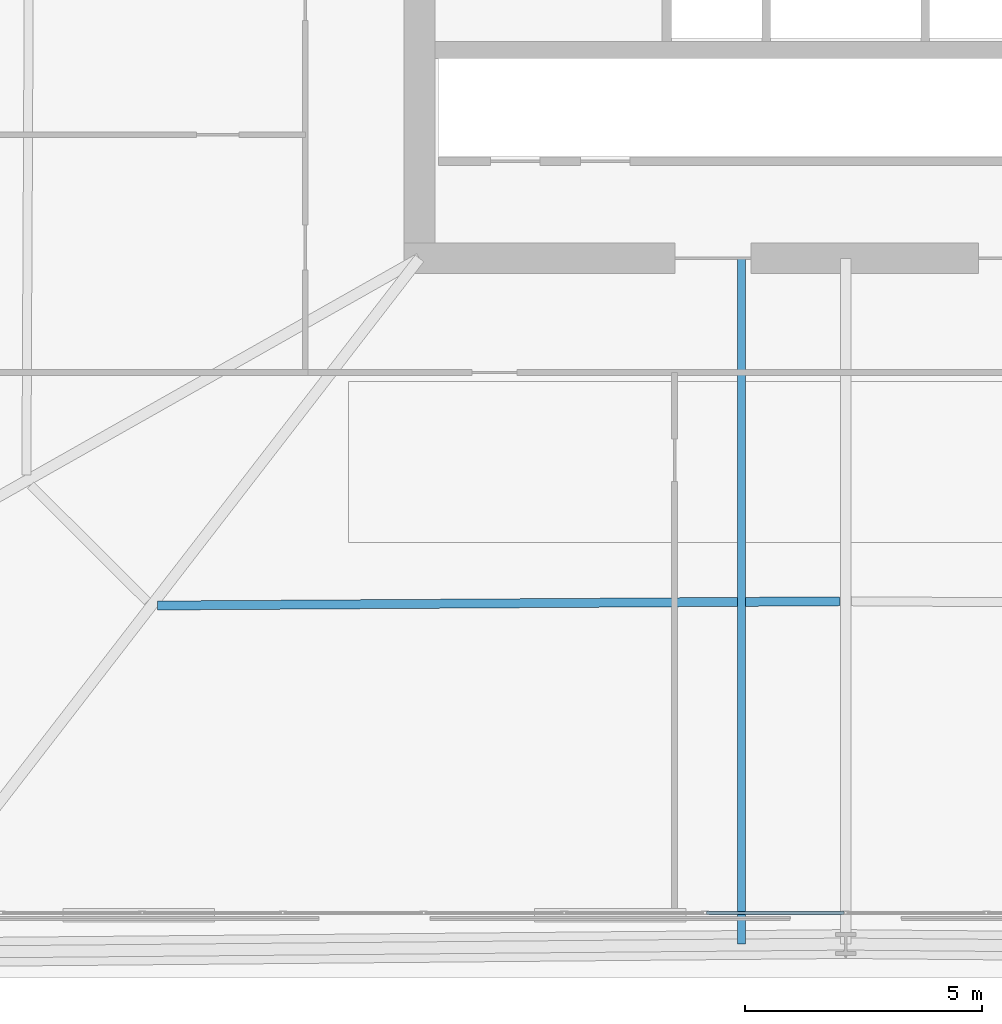
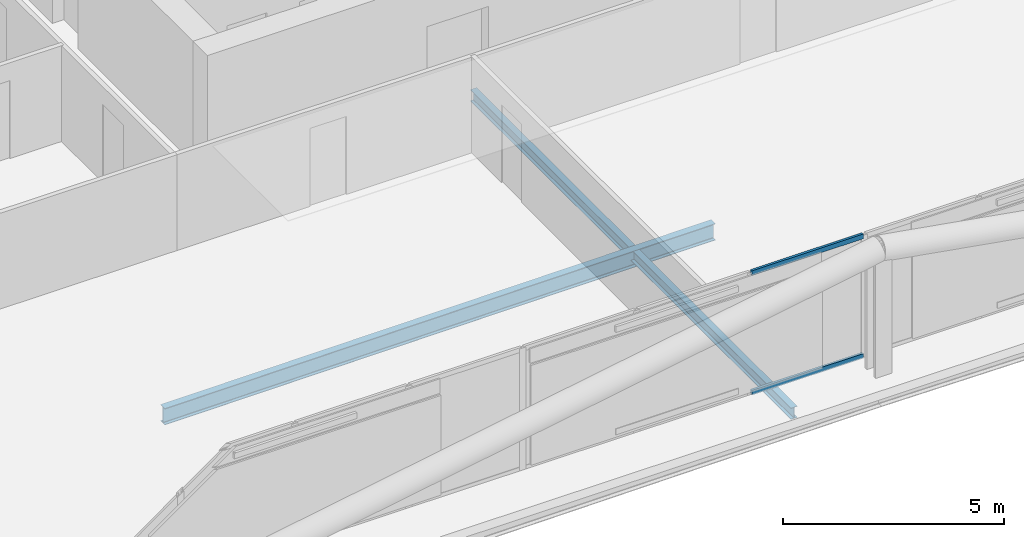
# One storey, part 10 of 50: 2 beams, 2 members, 1 element without a shape of its own.
"""IFC4 building model written with IfcOpenShell, lengths in metres."""

import ifcopenshell
import ifcopenshell.guid

model = None  # the IFC model being written
_history = None  # IfcOwnerHistory: only IFC2X3 demands one
_inside = {}  # id of a spatial element -> (the spatial element, [elements in it])
_under = {}  # id of a project, library or spatial element -> (it, [spatial elements below it])
_declared = {}  # id of a project -> (the project, [libraries it declares])
_typed = {}  # id of a type object -> (the type object, [elements of that type])
_made_of = {}  # id of a material, layer set ... -> (it, [elements and type objects made of it])


def new_model(schema):
    """Start an empty IFC model of exactly this schema.

    Asked for "IFC4X3", IfcOpenShell would pick the latest addendum, in which some entities
    have other attributes; the version numbers below select the first issue.
    IFC2X3 requires an IfcOwnerHistory on every rooted entity: one is made here for all.
    """
    global model, _history
    if schema == "IFC4X3":
        model = ifcopenshell.file(schema_version=(4, 3, 0, 0))
    else:
        model = ifcopenshell.file(schema=schema)
    _inside.clear()
    _under.clear()
    _declared.clear()
    _typed.clear()
    _made_of.clear()
    _history = None
    if model.schema == "IFC2X3":
        org = make("IfcOrganization", Name="unknown")
        user = make(
            "IfcPersonAndOrganization",
            ThePerson=make("IfcPerson", FamilyName="unknown"),
            TheOrganization=org,
        )
        app = make(
            "IfcApplication",
            ApplicationDeveloper=org,
            Version="unknown",
            ApplicationFullName="unknown",
            ApplicationIdentifier="unknown",
        )
        _history = make(
            "IfcOwnerHistory",
            OwningUser=user,
            OwningApplication=app,
            ChangeAction="ADDED",
            CreationDate=0,
        )
    return model


def make(cls, **values):
    """One entity of the class cls with the attributes given. An attribute that is None is left unset."""
    return model.create_entity(
        cls, **{name: value for name, value in values.items() if value is not None}
    )


def rooted(cls, **values):
    """An entity with a GlobalId (a new one), such as an element, a storey or a relation."""
    return make(cls, GlobalId=ifcopenshell.guid.new(), OwnerHistory=_history, **values)


def si_unit(unit_type, name, prefix=None):
    """IfcSIUnit, for example si_unit("LENGTHUNIT", "METRE", prefix="MILLI")."""
    return make("IfcSIUnit", UnitType=unit_type, Prefix=prefix, Name=name)


def assignment(units):
    """IfcUnitAssignment: the units of a project."""
    return None if units is None else make("IfcUnitAssignment", Units=units)


def point(xyz):
    """IfcCartesianPoint."""
    return None if xyz is None else make("IfcCartesianPoint", Coordinates=xyz)


def direction(xyz):
    """IfcDirection."""
    return None if xyz is None else make("IfcDirection", DirectionRatios=xyz)


def frame(location, z_axis=None, x_axis=None):
    """IfcAxis2Placement3D, a coordinate frame: its origin and axes. An axis left out is left unset."""
    return make(
        "IfcAxis2Placement3D",
        Location=point(location),
        Axis=direction(z_axis),
        RefDirection=direction(x_axis),
    )


def frame_2d(location, x_axis=None):
    """IfcAxis2Placement2D, a coordinate frame in the plane: its origin and x axis."""
    return make(
        "IfcAxis2Placement2D", Location=point(location), RefDirection=direction(x_axis)
    )


def origin():
    """The frame at (0, 0, 0) with its axes left unset."""
    return frame((0.0, 0.0, 0.0))


def origin_2d():
    """The frame at (0, 0) in the plane with its x axis left unset."""
    return frame_2d((0.0, 0.0))


def place(relative_to, where):
    """IfcLocalPlacement: puts the frame where relative to a parent placement (None: the world)."""
    return make(
        "IfcLocalPlacement", PlacementRelTo=relative_to, RelativePlacement=where
    )


def context(
    kind, dimensions, precision=None, world=None, true_north=None, identifier=None
):
    """IfcGeometricRepresentationContext, for example the 3D "Model" context."""
    return make(
        "IfcGeometricRepresentationContext",
        ContextIdentifier=identifier,
        ContextType=kind,
        CoordinateSpaceDimension=dimensions,
        Precision=precision,
        WorldCoordinateSystem=world,
        TrueNorth=true_north,
    )


def subcontext(parent, identifier, kind, view, scale=None):
    """IfcGeometricRepresentationSubContext, for example "Body" below "Model"."""
    return make(
        "IfcGeometricRepresentationSubContext",
        ContextIdentifier=identifier,
        ContextType=kind,
        ParentContext=parent,
        TargetScale=scale,
        TargetView=view,
    )


def project(units=None, contexts=None):
    """IfcProject with its units and contexts."""
    return rooted(
        "IfcProject",
        Name="project",
        RepresentationContexts=contexts,
        UnitsInContext=assignment(units),
    )


def spatial(cls, under=None, at=None, **own):
    """A site, building, storey or space (cls), placed at a placement, below another one or the project."""
    s = rooted(cls, ObjectPlacement=at, **own)
    if under is not None:
        _under.setdefault(under.id(), (under, []))[1].append(s)
    return s


def profile(cls, at=None, kind="AREA", **sizes):
    """A parametric profile (cls). Its sizes go by their IFC names, for example OverallWidth=200.0."""
    return make(cls, ProfileType=kind, Position=at, **sizes)


def hollow_rectangle(**sizes):
    """IfcRectangleHollowProfileDef."""
    return profile("IfcRectangleHollowProfileDef", **sizes)


def i_section(**sizes):
    """IfcIShapeProfileDef."""
    return profile("IfcIShapeProfileDef", **sizes)


def extrude(swept, where, along, depth):
    """IfcExtrudedAreaSolid: the profile swept, set in the frame where, extruded along a direction by depth."""
    return make(
        "IfcExtrudedAreaSolid",
        SweptArea=swept,
        Position=where,
        ExtrudedDirection=direction(along),
        Depth=depth,
    )


def shape(context_of_items, identifier, shape_type, items):
    """IfcShapeRepresentation: the items that make up one representation, for example the "Body"."""
    return make(
        "IfcShapeRepresentation",
        ContextOfItems=context_of_items,
        RepresentationIdentifier=identifier,
        RepresentationType=shape_type,
        Items=items,
    )


def material(Name=None, Category=None):
    """IfcMaterial."""
    return make("IfcMaterial", Name=Name, Category=Category)


def layer(
    of_material, thickness, ventilated=None, Name=None, Category=None, Priority=None
):
    """IfcMaterialLayer: one layer of a wall or slab, of a material (None: an air gap)."""
    return make(
        "IfcMaterialLayer",
        Material=of_material,
        LayerThickness=thickness,
        IsVentilated=ventilated,
        Name=Name,
        Category=Category,
        Priority=Priority,
    )


def layer_set(layers, Name=None):
    """IfcMaterialLayerSet."""
    return make("IfcMaterialLayerSet", MaterialLayers=layers, LayerSetName=Name)


def material_profile(
    of_material, cross_section, Name=None, Category=None, Priority=None
):
    """IfcMaterialProfile: a cross section and its material."""
    return make(
        "IfcMaterialProfile",
        Name=Name,
        Material=of_material,
        Profile=cross_section,
        Priority=Priority,
        Category=Category,
    )


def profile_set(profiles, Name=None, composite=None):
    """IfcMaterialProfileSet."""
    return make(
        "IfcMaterialProfileSet",
        Name=Name,
        MaterialProfiles=profiles,
        CompositeProfile=composite,
    )


def made_of(thing, what):
    """Note that an element or type object is made of a material, layer set ...; save() writes the relation."""
    if what is not None:
        _made_of.setdefault(what.id(), (what, []))[1].append(thing)
    return thing


def type_object(cls, material=None, **own):
    """A type object (cls), such as IfcWallType, which elements share."""
    return made_of(rooted(cls, **own), material)


def element(
    cls,
    number,
    at=None,
    inside=None,
    cuts=None,
    type_object=None,
    material=None,
    context=None,
    identifier="Body",
    shape_type=None,
    held_by="IfcProductDefinitionShape",
    body=None,
    shapes=None,
    **own,
):
    """One element of the class cls, such as IfcWall. Its Tag is "e" and its number.

    at: its placement. inside: the storey or other place that contains it. cuts: it is an
    opening in that element (IfcRelVoidsElement). A single representation is given by context,
    identifier, shape_type and body (its items); several are given by shapes. held_by: the class
    of the entity that holds the representations. save() writes the other relations.
    """
    e = rooted(cls, Tag="e%d" % number, ObjectPlacement=at, **own)
    if body is not None:
        shapes = [shape(context, identifier, shape_type, body)]
    if shapes is not None:
        e.Representation = make(held_by, Representations=shapes)
    if inside is not None:
        _inside.setdefault(inside.id(), (inside, []))[1].append(e)
    if cuts is not None:
        rooted(
            "IfcRelVoidsElement", RelatingBuildingElement=cuts, RelatedOpeningElement=e
        )
    if type_object is not None:
        _typed.setdefault(type_object.id(), (type_object, []))[1].append(e)
    return made_of(e, material)


def aggregate(whole, parts):
    """IfcRelAggregates: a whole, such as a stair, and the parts it consists of."""
    return rooted("IfcRelAggregates", RelatingObject=whole, RelatedObjects=parts)


def save(model, path):
    """Write the relations noted so far, then the file.

    IfcRelAggregates (storeys below a building ...), IfcRelContainedInSpatialStructure (elements
    in a storey), IfcRelDefinesByType, IfcRelAssociatesMaterial and IfcRelDeclares: one each for
    every whole, place, type object, material and project.
    """
    for whole, parts in _under.values():
        aggregate(whole, parts)
    for where, things in _inside.values():
        rooted(
            "IfcRelContainedInSpatialStructure",
            RelatedElements=things,
            RelatingStructure=where,
        )
    for kind, things in _typed.values():
        rooted("IfcRelDefinesByType", RelatedObjects=things, RelatingType=kind)
    for what, things in _made_of.values():
        rooted("IfcRelAssociatesMaterial", RelatedObjects=things, RelatingMaterial=what)
    for by, libraries in _declared.values():
        rooted("IfcRelDeclares", RelatingContext=by, RelatedDefinitions=libraries)
    model.write(path)


model = new_model("IFC4")

# Units and contexts
model_context = context("Model", 3, precision=1e-05, world=origin(), true_north=direction((0.0, 1.0)))
body_context = subcontext(model_context, "Body", "Model", "MODEL_VIEW")
ifc_project = project(units=[si_unit("LENGTHUNIT", "METRE"), si_unit("AREAUNIT", "SQUARE_METRE"), si_unit("VOLUMEUNIT", "CUBIC_METRE"), si_unit("PLANEANGLEUNIT", "RADIAN"), si_unit("MASSUNIT", "GRAM", prefix="KILO")], contexts=[model_context])

# Site, building, storey
site_placement = place(None, origin())
site = spatial("IfcSite", under=ifc_project, at=site_placement, CompositionType="ELEMENT")
building_placement = place(site_placement, origin())
building = spatial("IfcBuilding", under=site, at=building_placement, Name="Caelvoria Tower", CompositionType="ELEMENT")
storey_placement = place(building_placement, frame((0.0, 0.0, 71.199951171875)))
storey = spatial("IfcBuildingStorey", under=building, at=storey_placement, Name="L18", CompositionType="ELEMENT", Elevation=71.199951171875)

# Beam
ifc_material_1 = material(Name="Structural Steel ASTM A992 Gr.50", Category="steel")
ifc_material_profile_1 = material_profile(ifc_material_1, i_section(OverallWidth=0.166015625, OverallDepth=0.31298828125, WebThickness=0.006591796875, FlangeThickness=0.01123046875, FilletRadius=0.011962890625, at=origin_2d()), Name="Structural Steel ASTM A992 Gr.50")
ifc_profile_set_1 = profile_set([ifc_material_profile_1], Name="W310X44.5 - Structural Steel ASTM A992 Gr.50")
beam_type_1 = type_object("IfcBeamType", Name="Composite Floor Intermediate Joist W310X44.5", PredefinedType="JOIST", material=ifc_profile_set_1)
beam_1_placement = place(storey_placement, frame((43.800048828125, 24.0, -0.39697265625), z_axis=(0.0, -1.0, 0.0), x_axis=(1.0, 0.0, 0.0)))
element("IfcBeam", 1, at=beam_1_placement, inside=storey, type_object=beam_type_1, Name="Intermediate Floor Joist L18 South", PredefinedType="JOIST", context=body_context, shape_type="SweptSolid", body=[
    extrude(i_section(OverallWidth=0.166015625, OverallDepth=0.31298828125, WebThickness=0.006591796875, FlangeThickness=0.01123046875, FilletRadius=0.011962890625, at=origin_2d()), origin(), (0.0, 0.0, 1.0), 14.47998046875),
])

# Curtain wall, members
ifc_material_2 = material(Name="Anodised Bronze Aluminium and Low-E Glass", Category="aluminium")
ifc_layer = layer(ifc_material_2, 0.18505859375, Name="Anodised Bronze Aluminium and Low-E Glass")
ifc_layer_set = layer_set([ifc_layer], Name="CW System 2 Lower Tower Bronze Unitised Facade - Anodised Bronze Aluminium and Low-E Glass")
curtain_wall_type = type_object("IfcCurtainWallType", Name="CW System 2 Lower Tower Bronze Unitised Facade", PredefinedType="NOTDEFINED", material=ifc_layer_set)
curtain_wall_placement = place(storey_placement, origin())
curtain_wall = element("IfcCurtainWall", 2, at=curtain_wall_placement, inside=storey, type_object=curtain_wall_type, Name="CW-02 Curtain Wall L18-E0", PredefinedType="NOTDEFINED")
ifc_material_3 = material(Name="Anodised Bronze Architectural Aluminium", Category="aluminium")
ifc_material_profile_2 = material_profile(ifc_material_3, hollow_rectangle(XDim=0.06494140625, YDim=0.1298828125, WallThickness=0.00341796875, at=origin_2d()), Name="Anodised Bronze Architectural Aluminium")
ifc_profile_set_2 = profile_set([ifc_material_profile_2], Name="CW_TRAN_65X130 - Anodised Bronze Architectural Aluminium")
member_type = type_object("IfcMemberType", Name="Curtain Wall Transom 65x130 Bronze Aluminium", PredefinedType="USERDEFINED", material=ifc_profile_set_2)
member_1_placement = place(storey_placement, frame((43.06103515625, 10.179931640625, 0.032470703125), z_axis=(1.0, 0.0, 0.0), x_axis=(0.0, 1.0, 0.0)))
member_1 = element("IfcMember", 3, at=member_1_placement, type_object=member_type, Name="CW-02 transom 7.1", ObjectType="TRANSOM", PredefinedType="USERDEFINED", context=body_context, shape_type="SweptSolid", body=[
    extrude(hollow_rectangle(XDim=0.06494140625, YDim=0.1298828125, WallThickness=0.00341796875, at=origin_2d()), origin(), (0.0, 0.0, 1.0), 2.906494140625),
])
member_2_placement = place(storey_placement, frame((43.06103515625, 10.179931640625, 3.32763671875), z_axis=(1.0, 0.0, 0.0), x_axis=(0.0, 1.0, 0.0)))
member_2 = element("IfcMember", 4, at=member_2_placement, type_object=member_type, Name="CW-02 transom 7.2", ObjectType="TRANSOM", PredefinedType="USERDEFINED", context=body_context, shape_type="SweptSolid", body=[
    extrude(hollow_rectangle(XDim=0.06494140625, YDim=0.1298828125, WallThickness=0.00341796875, at=origin_2d()), origin(), (0.0, 0.0, 1.0), 2.906494140625),
])
aggregate(curtain_wall, [member_1, member_2])

# Beam
ifc_material_profile_3 = material_profile(ifc_material_1, i_section(OverallWidth=0.18994140625, OverallDepth=0.45703125, WebThickness=0.009033203125, FlangeThickness=0.014404296875, FilletRadius=0.014892578125, at=origin_2d()), Name="Structural Steel ASTM A992 Gr.50")
ifc_profile_set_3 = profile_set([ifc_material_profile_3], Name="W460X74 - Structural Steel ASTM A992 Gr.50")
beam_type_2 = type_object("IfcBeamType", Name="Secondary Floor Beam W460X74", PredefinedType="BEAM", material=ifc_profile_set_3)
beam_2_placement = place(storey_placement, frame((31.46533203125, 16.6689453125, -0.468505859375), z_axis=(0.999980351346, 0.006268725729, 0.0), x_axis=(-0.006268725729, 0.999980351346, 0.0)))
element("IfcBeam", 5, at=beam_2_placement, inside=storey, type_object=beam_type_2, Name="Secondary Floor Beam L18-00", PredefinedType="BEAM", context=body_context, shape_type="SweptSolid", body=[
    extrude(i_section(OverallWidth=0.18994140625, OverallDepth=0.45703125, WebThickness=0.009033203125, FlangeThickness=0.014404296875, FilletRadius=0.014892578125, at=origin_2d()), origin(), (0.0, 0.0, 1.0), 14.409912109375),
])

save(model, "model.ifc")
